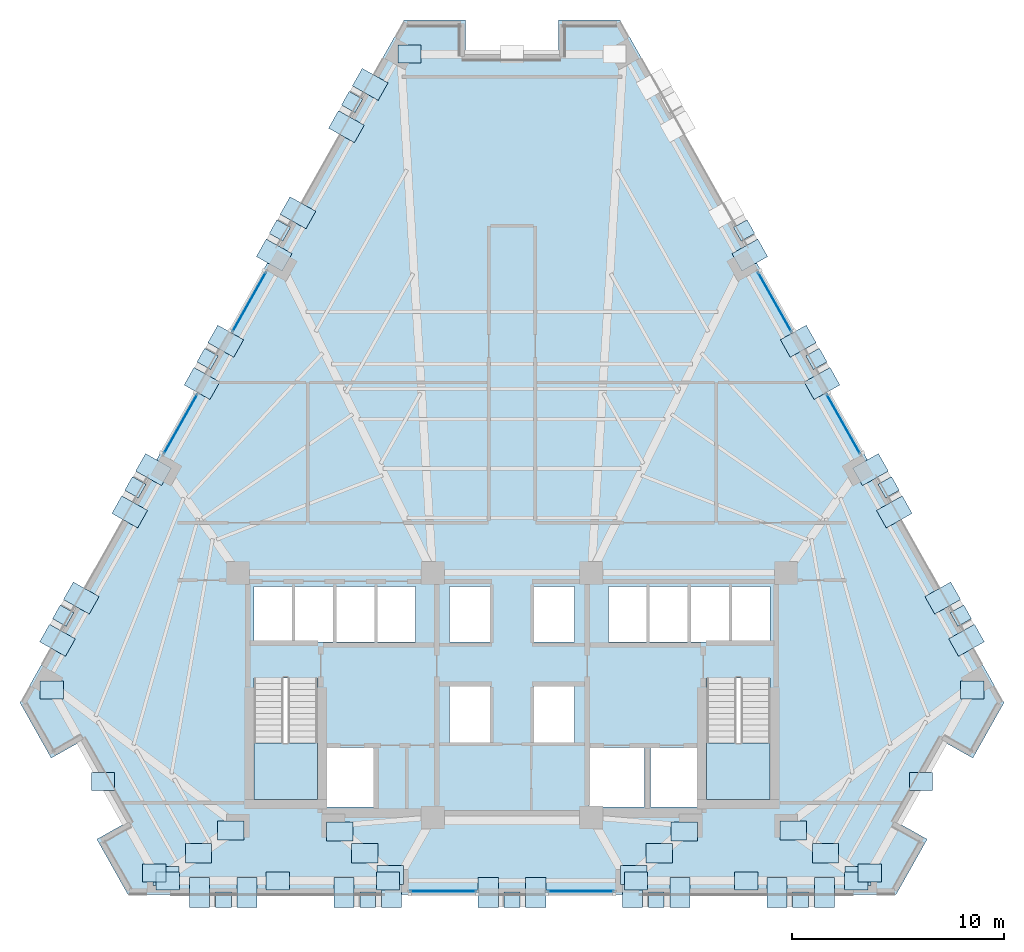
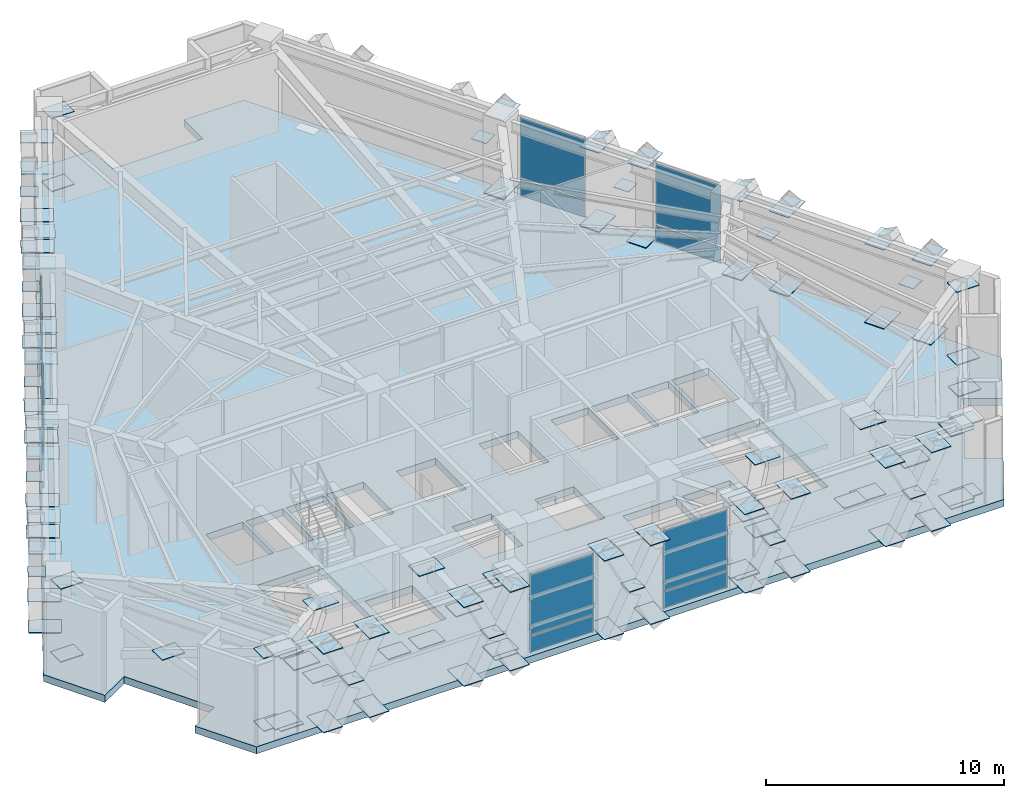
# One storey, part 5 of 12: 122 plates, 3 slabs, 8 elements without a shape of their own.
"""IFC4 building model written with IfcOpenShell, lengths in metres."""

from ifc_helpers import new_model, si_unit, direction, frame, origin, origin_2d, place, context, subcontext, project, spatial, polyline, rectangle, outline, extrude, material, layer, layer_set, type_object, element, aggregate, save


model = new_model("IFC4")

# Units and contexts
model_context = context("Model", 3, precision=1e-05, world=origin(), true_north=direction((0.0, 1.0)))
body_context = subcontext(model_context, "Body", "Model", "MODEL_VIEW")
ifc_project = project(units=[si_unit("LENGTHUNIT", "METRE"), si_unit("AREAUNIT", "SQUARE_METRE"), si_unit("VOLUMEUNIT", "CUBIC_METRE"), si_unit("PLANEANGLEUNIT", "RADIAN"), si_unit("MASSUNIT", "GRAM", prefix="KILO")], contexts=[model_context])

# Site, building, storey
site_placement = place(None, origin())
site = spatial("IfcSite", under=ifc_project, at=site_placement, CompositionType="ELEMENT")
building_placement = place(site_placement, origin())
building = spatial("IfcBuilding", under=site, at=building_placement, Name="Quenlor Broadcast Tower", CompositionType="ELEMENT")
storey_placement = place(building_placement, frame((0.0, 0.0, 90.60009765625)))
storey = spatial("IfcBuildingStorey", under=building, at=storey_placement, Name="L24", CompositionType="ELEMENT", Elevation=90.60009765625)

# Curtain wall, plates
ifc_material_1 = material(Name="Architectural Terracotta and Low-E Glazing", Category="masonry")
curtain_wall_type = type_object("IfcCurtainWallType", Name="Unitised Terracotta Curtain Wall System Z2", PredefinedType="NOTDEFINED", material=ifc_material_1)
curtain_wall_1_placement = place(storey_placement, origin())
curtain_wall_1 = element("IfcCurtainWall", 1, at=curtain_wall_1_placement, inside=storey, type_object=curtain_wall_type, Name="L24 Curtain Wall CW2 (L24-S-G1)", PredefinedType="NOTDEFINED")
ifc_material_2 = material(Name="Double Glazed Low-E Solar Glass", Category="glass")
ifc_layer_1 = layer(ifc_material_2, 0.030029296875)
ifc_layer_set_1 = layer_set([ifc_layer_1], Name="CW2 Double Glazed Vision Panel 30")
plate_type_1 = type_object("IfcPlateType", Name="CW2 Double Glazed Vision Panel 30", PredefinedType="CURTAIN_PANEL", material=ifc_layer_set_1)
plate_1_placement = place(storey_placement, frame((3.242431640625, -19.840087890625, 0.074951171875), z_axis=(0.0, 0.0, 1.0), x_axis=(-1.0, 0.0, 0.0)))
plate_1 = element("IfcPlate", 2, at=plate_1_placement, type_object=plate_type_1, Name="CW2 panel 1.1", PredefinedType="CURTAIN_PANEL", context=body_context, shape_type="SweptSolid", body=[
    extrude(rectangle(XDim=3.11181640625, YDim=0.030029296875, at=origin_2d()), origin(), (0.0, 0.0, 1.0), 0.83740234375),
])
plate_2_placement = place(storey_placement, frame((3.242431640625, -19.840087890625, 0.987548828125), z_axis=(0.0, 0.0, 1.0), x_axis=(-1.0, 0.0, 0.0)))
plate_2 = element("IfcPlate", 3, at=plate_2_placement, type_object=plate_type_1, Name="CW2 panel 1.2", PredefinedType="CURTAIN_PANEL", context=body_context, shape_type="SweptSolid", body=[
    extrude(rectangle(XDim=3.11181640625, YDim=0.030029296875, at=origin_2d()), origin(), (0.0, 0.0, 1.0), 3.08740234375),
])
aggregate(curtain_wall_1, [plate_1, plate_2])

curtain_wall_2_placement = place(storey_placement, origin())
curtain_wall_2 = element("IfcCurtainWall", 4, at=curtain_wall_2_placement, inside=storey, type_object=curtain_wall_type, Name="L24 Curtain Wall CW2 (L24-S-G2)", PredefinedType="NOTDEFINED")
plate_3_placement = place(storey_placement, frame((-3.242431640625, -19.840087890625, 0.074951171875), z_axis=(0.0, 0.0, 1.0), x_axis=(-1.0, 0.0, 0.0)))
plate_3 = element("IfcPlate", 5, at=plate_3_placement, type_object=plate_type_1, Name="CW2 panel 1.1", PredefinedType="CURTAIN_PANEL", context=body_context, shape_type="SweptSolid", body=[
    extrude(rectangle(XDim=3.11181640625, YDim=0.030029296875, at=origin_2d()), origin(), (0.0, 0.0, 1.0), 0.83740234375),
])
plate_4_placement = place(storey_placement, frame((-3.242431640625, -19.840087890625, 0.987548828125), z_axis=(0.0, 0.0, 1.0), x_axis=(-1.0, 0.0, 0.0)))
plate_4 = element("IfcPlate", 6, at=plate_4_placement, type_object=plate_type_1, Name="CW2 panel 1.2", PredefinedType="CURTAIN_PANEL", context=body_context, shape_type="SweptSolid", body=[
    extrude(rectangle(XDim=3.11181640625, YDim=0.030029296875, at=origin_2d()), origin(), (0.0, 0.0, 1.0), 3.08740234375),
])
aggregate(curtain_wall_2, [plate_3, plate_4])

curtain_wall_3_placement = place(storey_placement, origin())
curtain_wall_3 = element("IfcCurtainWall", 7, at=curtain_wall_3_placement, inside=storey, type_object=curtain_wall_type, Name="L24 Curtain Wall CW2 (L24-NE-G1)", PredefinedType="NOTDEFINED")
plate_5_placement = place(storey_placement, frame((12.413330078125, 8.005615234375, 0.074951171875), z_axis=(0.0, 0.0, 1.0), x_axis=(0.490281110491, -0.871564359469, 0.0)))
plate_5 = element("IfcPlate", 8, at=plate_5_placement, type_object=plate_type_1, Name="CW2 panel 1.1", PredefinedType="CURTAIN_PANEL", context=body_context, shape_type="SweptSolid", body=[
    extrude(rectangle(XDim=3.195068359375, YDim=0.030029296875, at=origin_2d()), origin(), (0.0, 0.0, 1.0), 0.83740234375),
])
plate_6_placement = place(storey_placement, frame((12.413330078125, 8.005615234375, 0.987548828125), z_axis=(0.0, 0.0, 1.0), x_axis=(0.490281110491, -0.871564359469, 0.0)))
plate_6 = element("IfcPlate", 9, at=plate_6_placement, type_object=plate_type_1, Name="CW2 panel 1.2", PredefinedType="CURTAIN_PANEL", context=body_context, shape_type="SweptSolid", body=[
    extrude(rectangle(XDim=3.195068359375, YDim=0.030029296875, at=origin_2d()), origin(), (0.0, 0.0, 1.0), 3.08740234375),
])
aggregate(curtain_wall_3, [plate_5, plate_6])

curtain_wall_4_placement = place(storey_placement, origin())
curtain_wall_4 = element("IfcCurtainWall", 10, at=curtain_wall_4_placement, inside=storey, type_object=curtain_wall_type, Name="L24 Curtain Wall CW2 (L24-NE-G2)", PredefinedType="NOTDEFINED")
plate_7_placement = place(storey_placement, frame((15.65771484375, 2.23779296875, 0.074951171875), z_axis=(0.0, 0.0, 1.0), x_axis=(0.490258400871, -0.871577133922, 0.0)))
plate_7 = element("IfcPlate", 11, at=plate_7_placement, type_object=plate_type_1, Name="CW2 panel 1.1", PredefinedType="CURTAIN_PANEL", context=body_context, shape_type="SweptSolid", body=[
    extrude(rectangle(XDim=3.195068359375, YDim=0.030029296875, at=origin_2d()), origin(), (0.0, 0.0, 1.0), 0.83740234375),
])
plate_8_placement = place(storey_placement, frame((15.65771484375, 2.23779296875, 0.987548828125), z_axis=(0.0, 0.0, 1.0), x_axis=(0.490258400871, -0.871577133922, 0.0)))
plate_8 = element("IfcPlate", 12, at=plate_8_placement, type_object=plate_type_1, Name="CW2 panel 1.2", PredefinedType="CURTAIN_PANEL", context=body_context, shape_type="SweptSolid", body=[
    extrude(rectangle(XDim=3.195068359375, YDim=0.030029296875, at=origin_2d()), origin(), (0.0, 0.0, 1.0), 3.08740234375),
])
aggregate(curtain_wall_4, [plate_7, plate_8])

curtain_wall_5_placement = place(storey_placement, origin())
curtain_wall_5 = element("IfcCurtainWall", 13, at=curtain_wall_5_placement, inside=storey, type_object=curtain_wall_type, Name="L24 Curtain Wall CW2 (L24-NW-G1)", PredefinedType="NOTDEFINED")
plate_9_placement = place(storey_placement, frame((-15.65771484375, 2.23779296875, 0.074951171875), z_axis=(0.0, 0.0, 1.0), x_axis=(0.490258400871, 0.871577133922, 0.0)))
plate_9 = element("IfcPlate", 14, at=plate_9_placement, type_object=plate_type_1, Name="CW2 panel 1.1", PredefinedType="CURTAIN_PANEL", context=body_context, shape_type="SweptSolid", body=[
    extrude(rectangle(XDim=3.195068359375, YDim=0.030029296875, at=origin_2d()), origin(), (0.0, 0.0, 1.0), 0.83740234375),
])
plate_10_placement = place(storey_placement, frame((-15.65771484375, 2.23779296875, 0.987548828125), z_axis=(0.0, 0.0, 1.0), x_axis=(0.490258400871, 0.871577133922, 0.0)))
plate_10 = element("IfcPlate", 15, at=plate_10_placement, type_object=plate_type_1, Name="CW2 panel 1.2", PredefinedType="CURTAIN_PANEL", context=body_context, shape_type="SweptSolid", body=[
    extrude(rectangle(XDim=3.195068359375, YDim=0.030029296875, at=origin_2d()), origin(), (0.0, 0.0, 1.0), 3.08740234375),
])
aggregate(curtain_wall_5, [plate_9, plate_10])

curtain_wall_6_placement = place(storey_placement, origin())
curtain_wall_6 = element("IfcCurtainWall", 16, at=curtain_wall_6_placement, inside=storey, type_object=curtain_wall_type, Name="L24 Curtain Wall CW2 (L24-NW-G2)", PredefinedType="NOTDEFINED")
plate_11_placement = place(storey_placement, frame((-12.413330078125, 8.005615234375, 0.074951171875), z_axis=(0.0, 0.0, 1.0), x_axis=(0.490258400871, 0.871577133922, 0.0)))
plate_11 = element("IfcPlate", 17, at=plate_11_placement, type_object=plate_type_1, Name="CW2 panel 1.1", PredefinedType="CURTAIN_PANEL", context=body_context, shape_type="SweptSolid", body=[
    extrude(rectangle(XDim=3.195068359375, YDim=0.030029296875, at=origin_2d()), origin(), (0.0, 0.0, 1.0), 0.83740234375),
])
plate_12_placement = place(storey_placement, frame((-12.413330078125, 8.005615234375, 0.987548828125), z_axis=(0.0, 0.0, 1.0), x_axis=(0.490258400871, 0.871577133922, 0.0)))
plate_12 = element("IfcPlate", 18, at=plate_12_placement, type_object=plate_type_1, Name="CW2 panel 1.2", PredefinedType="CURTAIN_PANEL", context=body_context, shape_type="SweptSolid", body=[
    extrude(rectangle(XDim=3.195068359375, YDim=0.030029296875, at=origin_2d()), origin(), (0.0, 0.0, 1.0), 3.08740234375),
])
aggregate(curtain_wall_6, [plate_11, plate_12])

# Plates
ifc_material_3 = material(Name="Steel S355", Category="steel")
ifc_layer_2 = layer(ifc_material_3, 0.034912109375)
ifc_layer_set_2 = layer_set([ifc_layer_2], Name="Outrigger Core Steel S355 Gusset Node Plate 1250x900x35")
plate_type_2 = type_object("IfcPlateType", Name="Outrigger Core Steel S355 Gusset Node Plate 1250x900x35", PredefinedType="SHEET", material=ifc_layer_set_2)
for number, where, z_axis, x_axis, name in (
    (19, (-14.81298828125, -18.044189453125, 2.04736328125), (0.0, 0.0, 1.0), (1.0, 0.0, 0.0), "L24 Outrigger Gusset Plate 1-MID"),
    (20, (-13.278564453125, -16.978271484375, 0.1826171875), (0.0, 0.0, 1.0), (1.0, 0.0, 0.0), "L24 Outrigger Gusset Plate 1-E1"),
    (21, (-16.34765625, -19.1103515625, 3.91259765625), (0.0, 0.0, 1.0), (1.0, 0.0, 0.0), "L24 Outrigger Gusset Plate 1-E2"),
    (22, (-13.278564453125, -16.978271484375, 3.91259765625), (0.0, 0.0, 1.0), (1.0, 0.0, 0.0), "L24 Outrigger Gusset Plate 1-E3"),
    (23, (-16.34765625, -19.1103515625, 0.1826171875), (0.0, 0.0, 1.0), (1.0, 0.0, 0.0), "L24 Outrigger Gusset Plate 1-E4"),
    (24, (14.81298828125, -18.044189453125, 2.04736328125), (0.0, 0.0, 1.0), (1.0, 0.0, 0.0), "L24 Outrigger Gusset Plate 2-MID"),
    (25, (13.278564453125, -16.978271484375, 0.1826171875), (0.0, 0.0, 1.0), (1.0, 0.0, 0.0), "L24 Outrigger Gusset Plate 2-E1"),
    (26, (16.34765625, -19.1103515625, 3.91259765625), (0.0, 0.0, 1.0), (1.0, 0.0, 0.0), "L24 Outrigger Gusset Plate 2-E2"),
    (27, (13.278564453125, -16.978271484375, 3.91259765625), (0.0, 0.0, 1.0), (1.0, 0.0, 0.0), "L24 Outrigger Gusset Plate 2-E3"),
    (28, (16.34765625, -19.1103515625, 0.1826171875), (0.0, 0.0, 1.0), (1.0, 0.0, 0.0), "L24 Outrigger Gusset Plate 2-E4"),
    (29, (-6.9541015625, -18.04345703125, 2.04736328125), (0.0, 0.0, 1.0), (1.0, 0.0, 0.0), "L24 Outrigger Gusset Plate 3-MID"),
    (30, (-8.1474609375, -17.01171875, 0.1826171875), (0.0, 0.0, 1.0), (1.0, 0.0, 0.0), "L24 Outrigger Gusset Plate 3-E1"),
    (31, (-5.760986328125, -19.0751953125, 3.91259765625), (0.0, 0.0, 1.0), (1.0, 0.0, 0.0), "L24 Outrigger Gusset Plate 3-E2"),
    (32, (-8.1474609375, -17.01171875, 3.91259765625), (0.0, 0.0, 1.0), (1.0, 0.0, 0.0), "L24 Outrigger Gusset Plate 3-E3"),
    (33, (-5.760986328125, -19.0751953125, 0.1826171875), (0.0, 0.0, 1.0), (1.0, 0.0, 0.0), "L24 Outrigger Gusset Plate 3-E4"),
    (34, (6.9541015625, -18.04345703125, 2.04736328125), (0.0, 0.0, 1.0), (1.0, 0.0, 0.0), "L24 Outrigger Gusset Plate 4-MID"),
    (35, (8.1474609375, -17.01171875, 0.1826171875), (0.0, 0.0, 1.0), (1.0, 0.0, 0.0), "L24 Outrigger Gusset Plate 4-E1"),
    (36, (5.760986328125, -19.0751953125, 3.91259765625), (0.0, 0.0, 1.0), (1.0, 0.0, 0.0), "L24 Outrigger Gusset Plate 4-E2"),
    (37, (8.1474609375, -17.01171875, 3.91259765625), (0.0, 0.0, 1.0), (1.0, 0.0, 0.0), "L24 Outrigger Gusset Plate 4-E3"),
    (38, (5.760986328125, -19.0751953125, 0.1826171875), (0.0, 0.0, 1.0), (1.0, 0.0, 0.0), "L24 Outrigger Gusset Plate 4-E4"),
):
    element("IfcPlate", number, at=place(storey_placement, frame(where, z_axis=z_axis, x_axis=x_axis)), inside=storey, type_object=plate_type_2, Name=name, PredefinedType="SHEET", context=body_context, shape_type="SweptSolid", body=[
        extrude(rectangle(XDim=1.25, YDim=0.89990234375, at=origin_2d()), origin(), (0.0, 0.0, 1.0), 0.034912109375),
    ])
ifc_material_4 = material(Name="Steel S355", Category="steel")
ifc_layer_3 = layer(ifc_material_4, 0.031982421875)
ifc_layer_set_3 = layer_set([ifc_layer_3], Name="Outrigger Perimeter Steel S355 Belt Gusset Plate 1100x850x32")
plate_type_3 = type_object("IfcPlateType", Name="Outrigger Perimeter Steel S355 Belt Gusset Plate 1100x850x32", PredefinedType="SHEET", material=ifc_layer_set_3)
for number, where, z_axis, x_axis, name in (
    (39, (-11.06787109375, -19.35009765625, 2.048828125), (0.0, 0.0, 1.0), (1.0, 0.0, 0.0), "L24 Belt Truss Gusset Plate 1-MID"),
    (40, (-16.2724609375, -19.35009765625, 0.18408203125), (0.0, 0.0, 1.0), (1.0, 0.0, 0.0), "L24 Belt Truss Gusset Plate 1-E1"),
    (41, (-5.86328125, -19.35009765625, 3.9140625), (0.0, 0.0, 1.0), (1.0, 0.0, 0.0), "L24 Belt Truss Gusset Plate 1-E2"),
    (42, (-16.2724609375, -19.35009765625, 3.9140625), (0.0, 0.0, 1.0), (1.0, 0.0, 0.0), "L24 Belt Truss Gusset Plate 1-E3"),
    (43, (-5.86328125, -19.35009765625, 0.18408203125), (0.0, 0.0, 1.0), (1.0, 0.0, 0.0), "L24 Belt Truss Gusset Plate 1-E4"),
    (44, (11.06787109375, -19.35009765625, 2.048828125), (0.0, 0.0, 1.0), (1.0, 0.0, 0.0), "L24 Belt Truss Gusset Plate 3-MID"),
    (45, (5.86328125, -19.35009765625, 0.18408203125), (0.0, 0.0, 1.0), (1.0, 0.0, 0.0), "L24 Belt Truss Gusset Plate 3-E1"),
    (46, (16.2724609375, -19.35009765625, 3.9140625), (0.0, 0.0, 1.0), (1.0, 0.0, 0.0), "L24 Belt Truss Gusset Plate 3-E2"),
    (47, (5.86328125, -19.35009765625, 3.9140625), (0.0, 0.0, 1.0), (1.0, 0.0, 0.0), "L24 Belt Truss Gusset Plate 3-E3"),
    (48, (16.2724609375, -19.35009765625, 0.18408203125), (0.0, 0.0, 1.0), (1.0, 0.0, 0.0), "L24 Belt Truss Gusset Plate 3-E4"),
    (49, (19.323486328125, -14.6533203125, 2.048828125), (0.0, 0.0, 1.0), (1.0, 0.0, 0.0), "L24 Belt Truss Gusset Plate 4-MID"),
    (50, (16.897705078125, -18.983642578125, 0.18408203125), (0.0, 0.0, 1.0), (1.0, 0.0, 0.0), "L24 Belt Truss Gusset Plate 4-E1"),
    (51, (21.74951171875, -10.322998046875, 3.9140625), (0.0, 0.0, 1.0), (1.0, 0.0, 0.0), "L24 Belt Truss Gusset Plate 4-E2"),
    (52, (16.897705078125, -18.983642578125, 3.9140625), (0.0, 0.0, 1.0), (1.0, 0.0, 0.0), "L24 Belt Truss Gusset Plate 4-E3"),
    (53, (21.74951171875, -10.322998046875, 0.18408203125), (0.0, 0.0, 1.0), (1.0, 0.0, 0.0), "L24 Belt Truss Gusset Plate 4-E4"),
    (54, (-4.84228515625, 19.718994140625, 3.9140625), (0.0, 0.0, 1.0), (1.0, 0.0, 0.0), "L24 Belt Truss Gusset Plate 8-E2"),
    (55, (-4.84228515625, 19.718994140625, 0.18408203125), (0.0, 0.0, 1.0), (1.0, 0.0, 0.0), "L24 Belt Truss Gusset Plate 8-E4"),
    (56, (-19.323486328125, -14.6533203125, 2.048828125), (0.0, 0.0, 1.0), (1.0, 0.0, 0.0), "L24 Belt Truss Gusset Plate 12-MID"),
    (57, (-21.74951171875, -10.322998046875, 0.18408203125), (0.0, 0.0, 1.0), (1.0, 0.0, 0.0), "L24 Belt Truss Gusset Plate 12-E1"),
    (58, (-16.897705078125, -18.983642578125, 3.9140625), (0.0, 0.0, 1.0), (1.0, 0.0, 0.0), "L24 Belt Truss Gusset Plate 12-E2"),
    (59, (-21.74951171875, -10.322998046875, 3.9140625), (0.0, 0.0, 1.0), (1.0, 0.0, 0.0), "L24 Belt Truss Gusset Plate 12-E3"),
    (60, (-16.897705078125, -18.983642578125, 0.18408203125), (0.0, 0.0, 1.0), (1.0, 0.0, 0.0), "L24 Belt Truss Gusset Plate 12-E4"),
):
    element("IfcPlate", number, at=place(storey_placement, frame(where, z_axis=z_axis, x_axis=x_axis)), inside=storey, type_object=plate_type_3, Name=name, PredefinedType="SHEET", context=body_context, shape_type="SweptSolid", body=[
        extrude(rectangle(XDim=1.10009765625, YDim=0.85009765625, at=origin_2d()), origin(), (0.0, 0.0, 1.0), 0.031982421875),
    ])

# Slab
ifc_material_5 = material(Name="Concrete C50/60", Category="concrete")
ifc_layer_4 = layer(ifc_material_5, 0.360107421875)
ifc_layer_set_4 = layer_set([ifc_layer_4], Name="Outrigger Plant Concrete C50/60 Slab 360")
slab_type_1 = type_object("IfcSlabType", Name="Outrigger Plant Concrete C50/60 Slab 360", PredefinedType="FLOOR", material=ifc_layer_set_4)
slab_1_placement = place(storey_placement, frame((0.0, 0.0, -0.360107421875)))
element("IfcSlab", 61, at=slab_1_placement, inside=storey, type_object=slab_type_1, Name="L24 Structural Floor Slab", PredefinedType="FLOOR", context=body_context, shape_type="SweptSolid", body=[
    extrude(outline(polyline([(18.14404296875, -20.0), (19.616943359375, -17.381591796875), (18.222412109375, -16.596923828125), (20.379638671875, -12.76220703125), (21.774169921875, -13.54638671875), (23.2470703125, -10.927978515625), (5.10302734375, 21.327880859375), (2.199951171875, 21.327880859375), (2.199951171875, 19.72802734375), (-2.199951171875, 19.72802734375), (-2.199951171875, 21.327880859375), (-5.10302734375, 21.327880859375), (-23.2470703125, -10.927978515625), (-21.774169921875, -13.54638671875), (-20.379638671875, -12.76220703125), (-18.222412109375, -16.596923828125), (-19.616943359375, -17.381591796875), (-18.14404296875, -20.0), (18.14404296875, -20.0)]), holes=[polyline([(-12.199951171875, -9.758056640625), (-12.199951171875, -15.5), (-9.199951171875, -15.5), (-9.199951171875, -9.758056640625), (-12.199951171875, -9.758056640625)]), polyline([(9.199951171875, -9.758056640625), (9.199951171875, -15.5), (12.199951171875, -15.5), (12.199951171875, -9.758056640625), (9.199951171875, -9.758056640625)]), polyline([(-12.199951171875, -8.050048828125), (-10.39990234375, -8.050048828125), (-10.39990234375, -5.449951171875), (-12.199951171875, -5.449951171875), (-12.199951171875, -8.050048828125)]), polyline([(-10.25, -8.050048828125), (-8.449951171875, -8.050048828125), (-8.449951171875, -5.449951171875), (-10.25, -5.449951171875), (-10.25, -8.050048828125)]), polyline([(-8.300048828125, -8.050048828125), (-6.5, -8.050048828125), (-6.5, -5.449951171875), (-8.300048828125, -5.449951171875), (-8.300048828125, -8.050048828125)]), polyline([(-6.35009765625, -8.050048828125), (-4.550048828125, -8.050048828125), (-4.550048828125, -5.449951171875), (-6.35009765625, -5.449951171875), (-6.35009765625, -8.050048828125)]), polyline([(-2.949951171875, -8.050048828125), (-1.050048828125, -8.050048828125), (-1.050048828125, -5.449951171875), (-2.949951171875, -5.449951171875), (-2.949951171875, -8.050048828125)]), polyline([(1.050048828125, -8.050048828125), (2.949951171875, -8.050048828125), (2.949951171875, -5.449951171875), (1.050048828125, -5.449951171875), (1.050048828125, -8.050048828125)]), polyline([(-2.949951171875, -12.800048828125), (-1.050048828125, -12.800048828125), (-1.050048828125, -10.14990234375), (-2.949951171875, -10.14990234375), (-2.949951171875, -12.800048828125)]), polyline([(1.050048828125, -12.800048828125), (2.949951171875, -12.800048828125), (2.949951171875, -10.14990234375), (1.050048828125, -10.14990234375), (1.050048828125, -12.800048828125)]), polyline([(4.550048828125, -8.050048828125), (6.35009765625, -8.050048828125), (6.35009765625, -5.449951171875), (4.550048828125, -5.449951171875), (4.550048828125, -8.050048828125)]), polyline([(6.5, -8.050048828125), (8.300048828125, -8.050048828125), (8.300048828125, -5.449951171875), (6.5, -5.449951171875), (6.5, -8.050048828125)]), polyline([(8.449951171875, -8.050048828125), (10.25, -8.050048828125), (10.25, -5.449951171875), (8.449951171875, -5.449951171875), (8.449951171875, -8.050048828125)]), polyline([(10.39990234375, -8.050048828125), (12.199951171875, -8.050048828125), (12.199951171875, -5.449951171875), (10.39990234375, -5.449951171875), (10.39990234375, -8.050048828125)]), polyline([(-8.85009765625, -15.85009765625), (-6.550048828125, -15.85009765625), (-6.550048828125, -13.050048828125), (-8.85009765625, -13.050048828125), (-8.85009765625, -15.85009765625)]), polyline([(6.550048828125, -15.85009765625), (8.85009765625, -15.85009765625), (8.85009765625, -13.050048828125), (6.550048828125, -13.050048828125), (6.550048828125, -15.85009765625)]), polyline([(3.64990234375, -15.85009765625), (6.25, -15.85009765625), (6.25, -13.050048828125), (3.64990234375, -13.050048828125), (3.64990234375, -15.85009765625)])]), origin(), (0.0, 0.0, 1.0), 0.360107421875),
])

# Plates
ifc_material_6 = material(Name="Steel S355", Category="steel")
ifc_layer_5 = layer(ifc_material_6, 0.028076171875)
ifc_layer_set_5 = layer_set([ifc_layer_5], Name="Perimeter Lattice Node Steel S355 Cap Plate 740x740x28")
plate_type_4 = type_object("IfcPlateType", Name="Perimeter Lattice Node Steel S355 Cap Plate 740x740x28", PredefinedType="USERDEFINED", material=ifc_layer_set_5)
for number, where, z_axis, x_axis, name in (
    (62, (13.63525390625, -20.235107421875, 2.06591796875), (0.0, 0.0, 1.0), (-1.0, 0.0, 0.0), "L24 Diamond Lattice Crossing Node S-C1"),
    (63, (6.817626953125, -20.235107421875, 2.06591796875), (0.0, 0.0, 1.0), (-1.0, 0.0, 0.0), "L24 Diamond Lattice Crossing Node S-C2"),
    (64, (0.0, -20.235107421875, 2.06591796875), (0.0, 0.0, 1.0), (-1.0, 0.0, 0.0), "L24 Diamond Lattice Crossing Node S-C3"),
    (65, (-6.817626953125, -20.235107421875, 2.06591796875), (0.0, 0.0, 1.0), (-1.0, 0.0, 0.0), "L24 Diamond Lattice Crossing Node S-C4"),
    (66, (-13.63525390625, -20.235107421875, 2.06591796875), (0.0, 0.0, 1.0), (-1.0, 0.0, 0.0), "L24 Diamond Lattice Crossing Node S-C5"),
    (67, (10.966796875, 11.383056640625, 2.06591796875), (0.0, 0.0, 1.0), (0.490295412055, -0.871556314255, 0.0), "L24 Diamond Lattice Crossing Node NE-C2"),
    (68, (14.3798828125, 5.315185546875, 2.06591796875), (0.0, 0.0, 1.0), (0.490295412055, -0.871556314255, 0.0), "L24 Diamond Lattice Crossing Node NE-C3"),
    (69, (17.79296875, -0.75244140625, 2.06591796875), (0.0, 0.0, 1.0), (0.490295412055, -0.871556314255, 0.0), "L24 Diamond Lattice Crossing Node NE-C4"),
    (70, (21.2060546875, -6.820068359375, 2.06591796875), (0.0, 0.0, 1.0), (0.490295412055, -0.871556314255, 0.0), "L24 Diamond Lattice Crossing Node NE-C5"),
    (71, (-21.2060546875, -6.820068359375, 2.06591796875), (0.0, 0.0, 1.0), (0.490295412055, 0.871556314255, 0.0), "L24 Diamond Lattice Crossing Node NW-C1"),
    (72, (-17.79296875, -0.75244140625, 2.06591796875), (0.0, 0.0, 1.0), (0.490295412055, 0.871556314255, 0.0), "L24 Diamond Lattice Crossing Node NW-C2"),
    (73, (-14.3798828125, 5.315185546875, 2.06591796875), (0.0, 0.0, 1.0), (0.490295412055, 0.871556314255, 0.0), "L24 Diamond Lattice Crossing Node NW-C3"),
    (74, (-10.966796875, 11.383056640625, 2.06591796875), (0.0, 0.0, 1.0), (0.490295412055, 0.871556314255, 0.0), "L24 Diamond Lattice Crossing Node NW-C4"),
    (75, (-7.5537109375, 17.45068359375, 2.06591796875), (0.0, 0.0, 1.0), (0.490295412055, 0.871556314255, 0.0), "L24 Diamond Lattice Crossing Node NW-C5"),
):
    element("IfcPlate", number, at=place(storey_placement, frame(where, z_axis=z_axis, x_axis=x_axis)), inside=storey, type_object=plate_type_4, Name=name, ObjectType="CAP PLATE", PredefinedType="USERDEFINED", context=body_context, shape_type="SweptSolid", body=[
        extrude(rectangle(XDim=0.739990234375, YDim=0.739990234375, at=origin_2d()), origin(), (0.0, 0.0, 1.0), 0.028076171875),
    ])

# Stair, slab
ifc_material_7 = material(Name="Precast concrete C40/50", Category="concrete")
stair_type = type_object("IfcStairType", Name="Precast Concrete C40/50 Dogleg Stair H440", PredefinedType="HALF_TURN_STAIR", material=ifc_material_7)
stair_1_placement = place(storey_placement, origin())
stair_1 = element("IfcStair", 76, at=stair_1_placement, inside=storey, type_object=stair_type, Name="L24 West Core Fire-Isolated Exit Stair ST-1", PredefinedType="HALF_TURN_STAIR")
ifc_material_8 = material(Name="Precast concrete C40/50", Category="concrete")
ifc_layer_6 = layer(ifc_material_8, 0.199951171875)
ifc_layer_set_6 = layer_set([ifc_layer_6], Name="Precast Concrete C40/50 Stair Landing Slab 200")
slab_type_2 = type_object("IfcSlabType", Name="Precast Concrete C40/50 Stair Landing Slab 200", PredefinedType="LANDING", material=ifc_layer_set_6)
slab_2_placement = place(storey_placement, frame((0.0, 0.0, 2.0)))
slab_2 = element("IfcSlab", 77, at=slab_2_placement, type_object=slab_type_2, Name="ST-1 landing 1", PredefinedType="LANDING", context=body_context, shape_type="SweptSolid", body=[
    extrude(outline(polyline([(-12.199951171875, -12.830078125), (-12.199951171875, -15.5), (-9.199951171875, -15.5), (-9.199951171875, -12.830078125), (-12.199951171875, -12.830078125)])), origin(), (0.0, 0.0, 1.0), 0.199951171875),
])
aggregate(stair_1, [slab_2])

stair_2_placement = place(storey_placement, origin())
stair_2 = element("IfcStair", 78, at=stair_2_placement, inside=storey, type_object=stair_type, Name="L24 East Core Fire-Isolated Exit Stair ST-2", PredefinedType="HALF_TURN_STAIR")
slab_3_placement = place(storey_placement, frame((0.0, 0.0, 2.0)))
slab_3 = element("IfcSlab", 79, at=slab_3_placement, type_object=slab_type_2, Name="ST-2 landing 1", PredefinedType="LANDING", context=body_context, shape_type="SweptSolid", body=[
    extrude(outline(polyline([(9.199951171875, -12.830078125), (9.199951171875, -15.5), (12.199951171875, -15.5), (12.199951171875, -12.830078125), (9.199951171875, -12.830078125)])), origin(), (0.0, 0.0, 1.0), 0.199951171875),
])
aggregate(stair_2, [slab_3])

# Plates
ifc_material_9 = material(Name="Steel S355", Category="steel")
ifc_layer_7 = layer(ifc_material_9, 0.035888671875)
ifc_layer_set_7 = layer_set([ifc_layer_7], Name="Transfer Truss Steel S355 Gusset Node Plate 1400x950x36")
plate_type_5 = type_object("IfcPlateType", Name="Transfer Truss Steel S355 Gusset Node Plate 1400x950x36", PredefinedType="SHEET", material=ifc_layer_set_7)
for number, where, z_axis, x_axis, name in (
    (80, (14.7578125, -19.89990234375, 0.0419921875), (0.0, 0.0, 1.0), (0.0, -1.0, 0.0), "L24 Lattice Tie Gusset Node S-B1"),
    (81, (12.5126953125, -19.89990234375, 4.08203125), (0.0, 0.0, 1.0), (0.0, -1.0, 0.0), "L24 Lattice Tie Gusset Node S-T2"),
    (82, (12.5126953125, -19.89990234375, 0.0419921875), (0.0, 0.0, 1.0), (0.0, -1.0, 0.0), "L24 Lattice Tie Gusset Node S-B2"),
    (83, (14.7578125, -19.89990234375, 4.08203125), (0.0, 0.0, 1.0), (0.0, -1.0, 0.0), "L24 Lattice Tie Gusset Node S-T1"),
    (84, (7.940185546875, -19.89990234375, 0.0419921875), (0.0, 0.0, 1.0), (0.0, -1.0, 0.0), "L24 Lattice Tie Gusset Node S-B4"),
    (85, (5.695068359375, -19.89990234375, 4.08203125), (0.0, 0.0, 1.0), (0.0, -1.0, 0.0), "L24 Lattice Tie Gusset Node S-T5"),
    (86, (5.695068359375, -19.89990234375, 0.0419921875), (0.0, 0.0, 1.0), (0.0, -1.0, 0.0), "L24 Lattice Tie Gusset Node S-B5"),
    (87, (7.940185546875, -19.89990234375, 4.08203125), (0.0, 0.0, 1.0), (0.0, -1.0, 0.0), "L24 Lattice Tie Gusset Node S-T4"),
    (88, (1.12255859375, -19.89990234375, 0.0419921875), (0.0, 0.0, 1.0), (0.0, -1.0, 0.0), "L24 Lattice Tie Gusset Node S-B7"),
    (89, (-1.12255859375, -19.89990234375, 4.08203125), (0.0, 0.0, 1.0), (0.0, -1.0, 0.0), "L24 Lattice Tie Gusset Node S-T8"),
    (90, (-1.12255859375, -19.89990234375, 0.0419921875), (0.0, 0.0, 1.0), (0.0, -1.0, 0.0), "L24 Lattice Tie Gusset Node S-B8"),
    (91, (1.12255859375, -19.89990234375, 4.08203125), (0.0, 0.0, 1.0), (0.0, -1.0, 0.0), "L24 Lattice Tie Gusset Node S-T7"),
    (92, (-5.695068359375, -19.89990234375, 0.0419921875), (0.0, 0.0, 1.0), (0.0, -1.0, 0.0), "L24 Lattice Tie Gusset Node S-B10"),
    (93, (-7.940185546875, -19.89990234375, 4.08203125), (0.0, 0.0, 1.0), (0.0, -1.0, 0.0), "L24 Lattice Tie Gusset Node S-T11"),
    (94, (-7.940185546875, -19.89990234375, 0.0419921875), (0.0, 0.0, 1.0), (0.0, -1.0, 0.0), "L24 Lattice Tie Gusset Node S-B11"),
    (95, (-5.695068359375, -19.89990234375, 4.08203125), (0.0, 0.0, 1.0), (0.0, -1.0, 0.0), "L24 Lattice Tie Gusset Node S-T10"),
    (96, (-12.5126953125, -19.89990234375, 0.0419921875), (0.0, 0.0, 1.0), (0.0, -1.0, 0.0), "L24 Lattice Tie Gusset Node S-B13"),
    (97, (-14.7578125, -19.89990234375, 4.08203125), (0.0, 0.0, 1.0), (0.0, -1.0, 0.0), "L24 Lattice Tie Gusset Node S-T14"),
    (98, (-14.7578125, -19.89990234375, 0.0419921875), (0.0, 0.0, 1.0), (0.0, -1.0, 0.0), "L24 Lattice Tie Gusset Node S-B14"),
    (99, (-12.5126953125, -19.89990234375, 4.08203125), (0.0, 0.0, 1.0), (0.0, -1.0, 0.0), "L24 Lattice Tie Gusset Node S-T13"),
    (100, (11.23681640625, 10.219482421875, 4.08203125), (0.0, 0.0, 1.0), (0.871556314255, 0.490295412055, 0.0), "L24 Lattice Tie Gusset Node NE-T5"),
    (101, (11.23681640625, 10.219482421875, 0.0419921875), (0.0, 0.0, 1.0), (0.871556314255, 0.490295412055, 0.0), "L24 Lattice Tie Gusset Node NE-B5"),
    (102, (13.52587890625, 6.150146484375, 0.0419921875), (0.0, 0.0, 1.0), (0.871556314255, 0.490295412055, 0.0), "L24 Lattice Tie Gusset Node NE-B7"),
    (103, (14.64990234375, 4.15185546875, 4.08203125), (0.0, 0.0, 1.0), (0.871556314255, 0.490295412055, 0.0), "L24 Lattice Tie Gusset Node NE-T8"),
    (104, (14.64990234375, 4.15185546875, 0.0419921875), (0.0, 0.0, 1.0), (0.871556314255, 0.490295412055, 0.0), "L24 Lattice Tie Gusset Node NE-B8"),
    (105, (13.52587890625, 6.150146484375, 4.08203125), (0.0, 0.0, 1.0), (0.871556314255, 0.490295412055, 0.0), "L24 Lattice Tie Gusset Node NE-T7"),
    (106, (16.93896484375, 0.08251953125, 0.0419921875), (0.0, 0.0, 1.0), (0.871556314255, 0.490295412055, 0.0), "L24 Lattice Tie Gusset Node NE-B10"),
    (107, (18.06298828125, -1.915771484375, 4.08203125), (0.0, 0.0, 1.0), (0.871556314255, 0.490295412055, 0.0), "L24 Lattice Tie Gusset Node NE-T11"),
    (108, (18.06298828125, -1.915771484375, 0.0419921875), (0.0, 0.0, 1.0), (0.871556314255, 0.490295412055, 0.0), "L24 Lattice Tie Gusset Node NE-B11"),
    (109, (16.93896484375, 0.08251953125, 4.08203125), (0.0, 0.0, 1.0), (0.871556314255, 0.490295412055, 0.0), "L24 Lattice Tie Gusset Node NE-T10"),
    (110, (20.351806640625, -5.985107421875, 0.0419921875), (0.0, 0.0, 1.0), (0.871556314255, 0.490295412055, 0.0), "L24 Lattice Tie Gusset Node NE-B13"),
    (111, (21.47607421875, -7.9833984375, 4.08203125), (0.0, 0.0, 1.0), (0.871556314255, 0.490295412055, 0.0), "L24 Lattice Tie Gusset Node NE-T14"),
    (112, (21.47607421875, -7.9833984375, 0.0419921875), (0.0, 0.0, 1.0), (0.871556314255, 0.490295412055, 0.0), "L24 Lattice Tie Gusset Node NE-B14"),
    (113, (20.351806640625, -5.985107421875, 4.08203125), (0.0, 0.0, 1.0), (0.871556314255, 0.490295412055, 0.0), "L24 Lattice Tie Gusset Node NE-T13"),
    (114, (-21.47607421875, -7.9833984375, 0.0419921875), (0.0, 0.0, 1.0), (-0.871556314255, 0.490295412055, 0.0), "L24 Lattice Tie Gusset Node NW-B1"),
    (115, (-20.351806640625, -5.985107421875, 4.08203125), (0.0, 0.0, 1.0), (-0.871556314255, 0.490295412055, 0.0), "L24 Lattice Tie Gusset Node NW-T2"),
    (116, (-20.351806640625, -5.985107421875, 0.0419921875), (0.0, 0.0, 1.0), (-0.871556314255, 0.490295412055, 0.0), "L24 Lattice Tie Gusset Node NW-B2"),
    (117, (-21.47607421875, -7.9833984375, 4.08203125), (0.0, 0.0, 1.0), (-0.871556314255, 0.490295412055, 0.0), "L24 Lattice Tie Gusset Node NW-T1"),
    (118, (-18.06298828125, -1.915771484375, 0.0419921875), (0.0, 0.0, 1.0), (-0.871556314255, 0.490295412055, 0.0), "L24 Lattice Tie Gusset Node NW-B4"),
    (119, (-16.93896484375, 0.08251953125, 4.08203125), (0.0, 0.0, 1.0), (-0.871556314255, 0.490295412055, 0.0), "L24 Lattice Tie Gusset Node NW-T5"),
    (120, (-16.93896484375, 0.08251953125, 0.0419921875), (0.0, 0.0, 1.0), (-0.871556314255, 0.490295412055, 0.0), "L24 Lattice Tie Gusset Node NW-B5"),
    (121, (-18.06298828125, -1.915771484375, 4.08203125), (0.0, 0.0, 1.0), (-0.871556314255, 0.490295412055, 0.0), "L24 Lattice Tie Gusset Node NW-T4"),
    (122, (-14.64990234375, 4.15185546875, 0.0419921875), (0.0, 0.0, 1.0), (-0.871556314255, 0.490295412055, 0.0), "L24 Lattice Tie Gusset Node NW-B7"),
    (123, (-13.52587890625, 6.150146484375, 4.08203125), (0.0, 0.0, 1.0), (-0.871556314255, 0.490295412055, 0.0), "L24 Lattice Tie Gusset Node NW-T8"),
    (124, (-13.52587890625, 6.150146484375, 0.0419921875), (0.0, 0.0, 1.0), (-0.871556314255, 0.490295412055, 0.0), "L24 Lattice Tie Gusset Node NW-B8"),
    (125, (-14.64990234375, 4.15185546875, 4.08203125), (0.0, 0.0, 1.0), (-0.871556314255, 0.490295412055, 0.0), "L24 Lattice Tie Gusset Node NW-T7"),
    (126, (-11.23681640625, 10.219482421875, 0.0419921875), (0.0, 0.0, 1.0), (-0.871556314255, 0.490295412055, 0.0), "L24 Lattice Tie Gusset Node NW-B10"),
    (127, (-10.11279296875, 12.218017578125, 4.08203125), (0.0, 0.0, 1.0), (-0.871556314255, 0.490295412055, 0.0), "L24 Lattice Tie Gusset Node NW-T11"),
    (128, (-10.11279296875, 12.218017578125, 0.0419921875), (0.0, 0.0, 1.0), (-0.871556314255, 0.490295412055, 0.0), "L24 Lattice Tie Gusset Node NW-B11"),
    (129, (-11.23681640625, 10.219482421875, 4.08203125), (0.0, 0.0, 1.0), (-0.871556314255, 0.490295412055, 0.0), "L24 Lattice Tie Gusset Node NW-T10"),
    (130, (-7.823486328125, 16.287353515625, 0.0419921875), (0.0, 0.0, 1.0), (-0.871556314255, 0.490295412055, 0.0), "L24 Lattice Tie Gusset Node NW-B13"),
    (131, (-6.69970703125, 18.28564453125, 4.08203125), (0.0, 0.0, 1.0), (-0.871556314255, 0.490295412055, 0.0), "L24 Lattice Tie Gusset Node NW-T14"),
    (132, (-6.69970703125, 18.28564453125, 0.0419921875), (0.0, 0.0, 1.0), (-0.871556314255, 0.490295412055, 0.0), "L24 Lattice Tie Gusset Node NW-B14"),
    (133, (-7.823486328125, 16.287353515625, 4.08203125), (0.0, 0.0, 1.0), (-0.871556314255, 0.490295412055, 0.0), "L24 Lattice Tie Gusset Node NW-T13"),
):
    element("IfcPlate", number, at=place(storey_placement, frame(where, z_axis=z_axis, x_axis=x_axis)), inside=storey, type_object=plate_type_5, Name=name, PredefinedType="SHEET", context=body_context, shape_type="SweptSolid", body=[
        extrude(rectangle(XDim=1.39990234375, YDim=0.949951171875, at=origin_2d()), origin(), (0.0, 0.0, 1.0), 0.035888671875),
    ])

save(model, "model.ifc")
